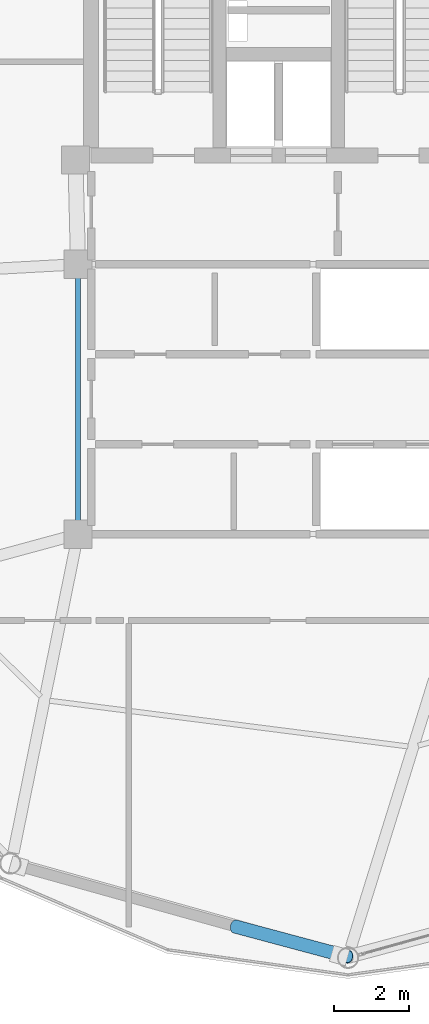
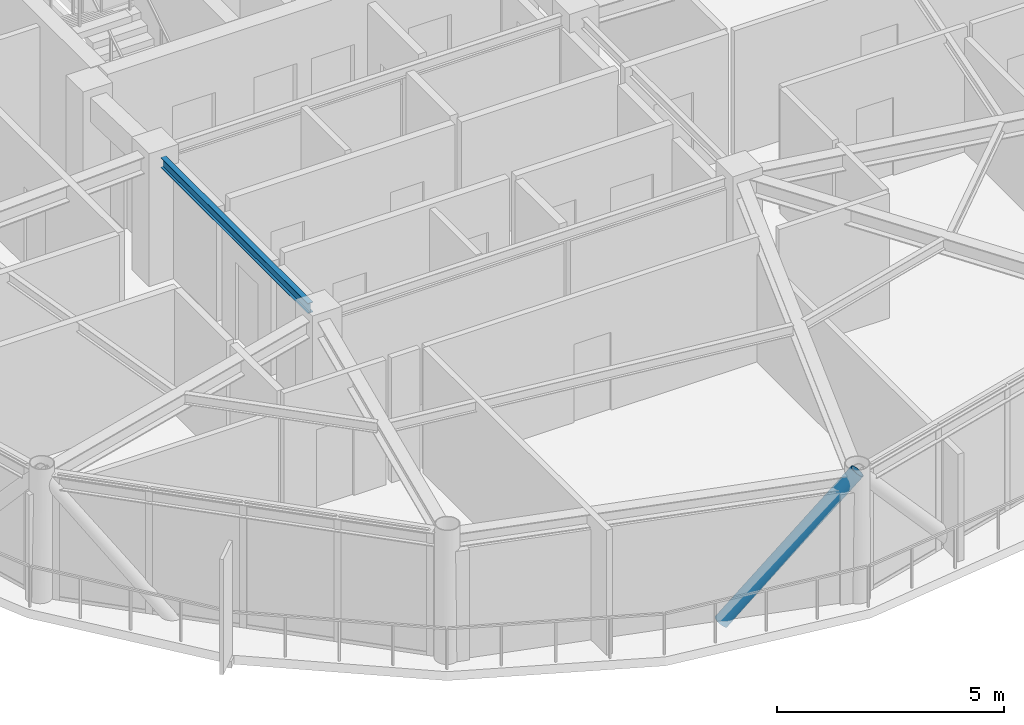
# One storey, part 6 of 26: 1 beam, 1 member.
"""IFC4 building model written with IfcOpenShell, lengths in metres."""

from ifc_helpers import new_model, si_unit, direction, frame, origin, origin_2d, place, context, subcontext, project, spatial, hollow_circle, i_section, extrude, material, material_profile, profile_set, type_object, element, save


model = new_model("IFC4")

# Units and contexts
model_context = context("Model", 3, precision=1e-05, world=origin(), true_north=direction((0.0, 1.0)))
body_context = subcontext(model_context, "Body", "Model", "MODEL_VIEW")
ifc_project = project(units=[si_unit("LENGTHUNIT", "METRE"), si_unit("AREAUNIT", "SQUARE_METRE"), si_unit("VOLUMEUNIT", "CUBIC_METRE"), si_unit("PLANEANGLEUNIT", "RADIAN"), si_unit("MASSUNIT", "GRAM", prefix="KILO")], contexts=[model_context])

# Site, building, storey
site_placement = place(None, origin())
site = spatial("IfcSite", under=ifc_project, at=site_placement, CompositionType="ELEMENT")
building_placement = place(site_placement, origin())
building = spatial("IfcBuilding", under=site, at=building_placement, Name="Varnakorn Sky Granary", CompositionType="ELEMENT")
storey_placement = place(building_placement, frame((0.0, 0.0, 267.0)))
storey = spatial("IfcBuildingStorey", under=building, at=storey_placement, Name="L68", CompositionType="ELEMENT", Elevation=267.0)

# Beam
ifc_material_1 = material(Name="Steel S355JR", Category="steel")
ifc_material_profile_1 = material_profile(ifc_material_1, i_section(OverallWidth=0.135009765625, OverallDepth=0.27001953125, WebThickness=0.006591796875, FlangeThickness=0.01025390625, at=origin_2d()), Name="IPE 270")
ifc_profile_set_1 = profile_set([ifc_material_profile_1], Name="Steel S355JR")
beam_type = type_object("IfcBeamType", Name="BM-SEC-Z5", PredefinedType="BEAM", material=ifc_profile_set_1)
beam_placement = place(storey_placement, frame((-2.35009765625, 0.2451171875, 3.22509765625), z_axis=(0.0, -1.0, 0.0), x_axis=(1.0, 0.0, 0.0)))
element("IfcBeam", 1, at=beam_placement, inside=storey, type_object=beam_type, Name="Core Spine Framing Beam 3 L68", PredefinedType="BEAM", context=body_context, shape_type="SweptSolid", body=[
    extrude(i_section(OverallWidth=0.135009765625, OverallDepth=0.27001953125, WebThickness=0.006591796875, FlangeThickness=0.01025390625, at=origin_2d()), origin(), (0.0, 0.0, 1.0), 6.490234375),
])

# Member
ifc_material_2 = material(Name="Steel S460M", Category="steel")
ifc_material_profile_2 = material_profile(ifc_material_2, hollow_circle(Radius=0.177734375, WallThickness=0.01416015625, at=origin_2d()), Name="CHS 355.6x14")
ifc_profile_set_2 = profile_set([ifc_material_profile_2], Name="Steel S460M")
member_type = type_object("IfcMemberType", Name="MB-DIAG-T5", PredefinedType="BRACE", material=ifc_profile_set_2)
member_placement = place(storey_placement, frame((1.846435546875, -17.064453125, -0.1298828125), z_axis=(0.642589807291, -0.172098952696, 0.746632633928), x_axis=(0.258703380674, 0.965956811057, 0.0)))
element("IfcMember", 2, at=member_placement, inside=storey, type_object=member_type, Name="Perimeter CHS Diagrid Brace DG09 L68", PredefinedType="BRACE", context=body_context, shape_type="SweptSolid", body=[
    extrude(hollow_circle(Radius=0.177734375, WallThickness=0.01416015625, at=origin_2d()), origin(), (0.0, 0.0, 1.0), 4.67431640625),
])

save(model, "model.ifc")
